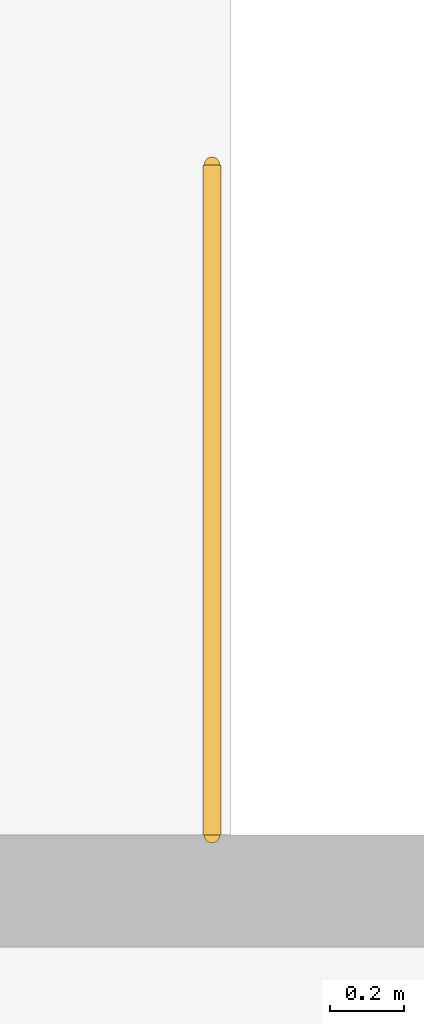
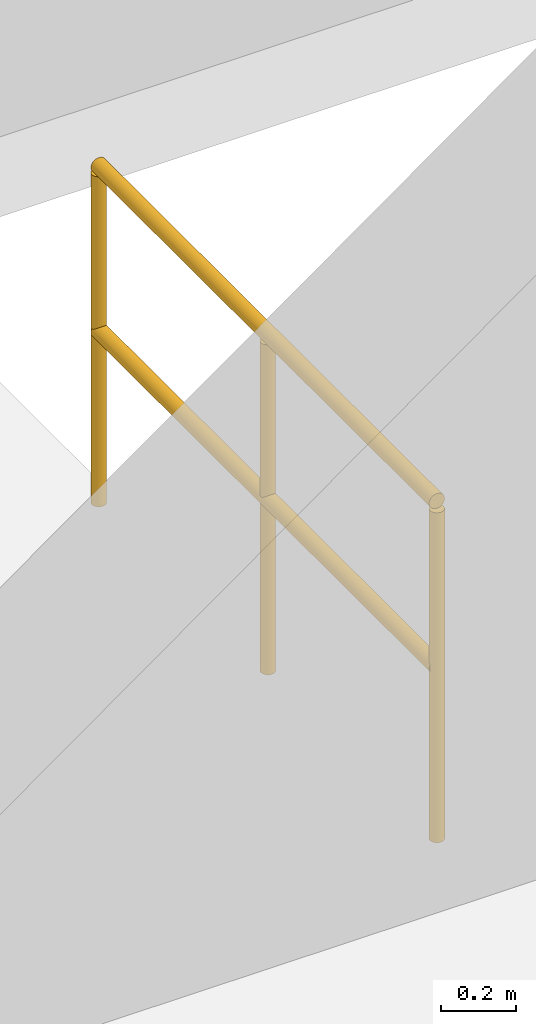
# One storey, part 91 of 91: 1 railing.
"""IFC4 building model written with IfcOpenShell, lengths in metres."""

from ifc_helpers import new_model, si_unit, direction, frame, origin, origin_2d, place, context, subcontext, project, spatial, circle, extrude, material, type_object, element, save


model = new_model("IFC4")

# Units and contexts
model_context = context("Model", 3, precision=1e-05, world=origin(), true_north=direction((0.0, 1.0)))
body_context = subcontext(model_context, "Body", "Model", "MODEL_VIEW")
ifc_project = project(units=[si_unit("LENGTHUNIT", "METRE"), si_unit("AREAUNIT", "SQUARE_METRE"), si_unit("VOLUMEUNIT", "CUBIC_METRE"), si_unit("PLANEANGLEUNIT", "RADIAN"), si_unit("MASSUNIT", "GRAM", prefix="KILO")], contexts=[model_context])

# Site, building, storey
site_placement = place(None, origin())
site = spatial("IfcSite", under=ifc_project, at=site_placement, CompositionType="ELEMENT")
building_placement = place(site_placement, origin())
building = spatial("IfcBuilding", under=site, at=building_placement, Name="Valcora Specialist Clinic", CompositionType="ELEMENT")
storey_placement = place(building_placement, frame((0.0, 0.0, 13.60009765625)))
storey = spatial("IfcBuildingStorey", under=building, at=storey_placement, Name="L03", CompositionType="ELEMENT", Elevation=13.60009765625)

# Railing
ifc_material = material(Name="Stainless Steel AISI 316", Category="steel")
railing_type = type_object("IfcRailingType", Name="TY-RL-GRD112", PredefinedType="GUARDRAIL", material=ifc_material)
railing_placement = place(storey_placement, frame((119.64990234375, 105.39990234375, 0.0)))
element("IfcRailing", 1, at=railing_placement, inside=storey, type_object=railing_type, Name="L03 ST-V4C top well guard 1", PredefinedType="GUARDRAIL", context=body_context, shape_type="SweptSolid", body=[
    extrude(circle(Radius=0.02392578125, at=origin_2d()), frame((0.0, 0.0, 1.09619140625), z_axis=(0.0, 1.0, 0.0), x_axis=(-1.0, 0.0, 0.0)), (0.0, 0.0, 1.0), 1.800048828125),
    extrude(circle(Radius=0.02392578125, at=origin_2d()), frame((0.0, 0.0, 0.56005859375), z_axis=(0.0, 1.0, 0.0), x_axis=(-1.0, 0.0, 0.0)), (0.0, 0.0, 1.0), 1.800048828125),
    extrude(circle(Radius=0.02099609375, at=origin_2d()), origin(), (0.0, 0.0, 1.0), 1.072021484375),
    extrude(circle(Radius=0.02099609375, at=origin_2d()), frame((0.0, 0.89990234375, 0.0)), (0.0, 0.0, 1.0), 1.072021484375),
    extrude(circle(Radius=0.02099609375, at=origin_2d()), frame((0.0, 1.800048828125, 0.0)), (0.0, 0.0, 1.0), 1.072021484375),
])

save(model, "model.ifc")
